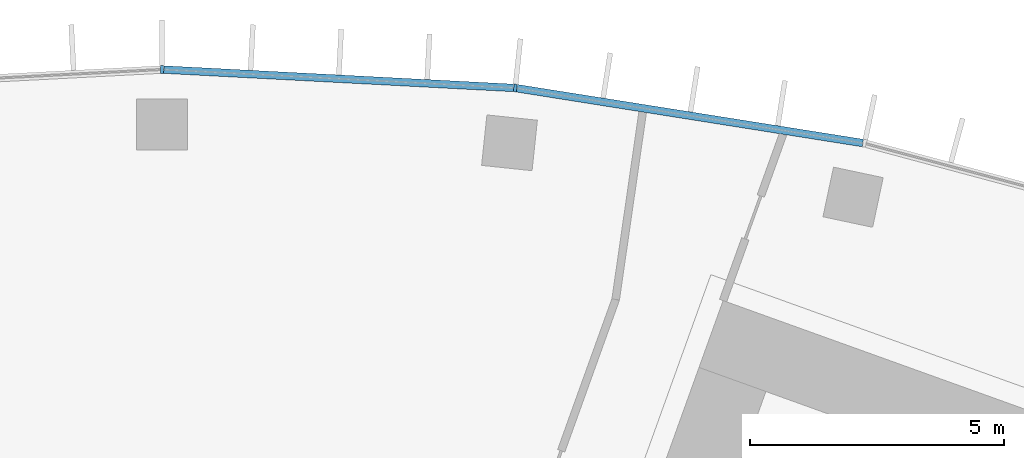
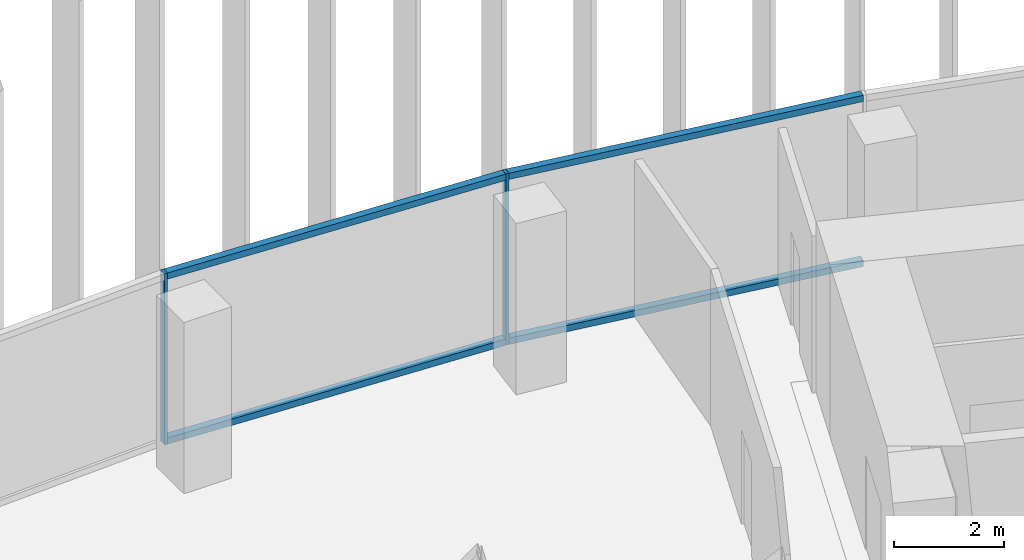
# One storey, part 8 of 23: 6 members, 1 element without a shape of its own.
"""IFC4 building model written with IfcOpenShell, lengths in metres."""

from ifc_helpers import new_model, si_unit, direction, frame, origin, origin_2d, place, context, subcontext, project, spatial, rectangle, extrude, material, layer, layer_set, material_profile, profile_set, type_object, element, aggregate, save


model = new_model("IFC4")

# Units and contexts
model_context = context("Model", 3, precision=1e-05, world=origin(), true_north=direction((0.0, 1.0)))
body_context = subcontext(model_context, "Body", "Model", "MODEL_VIEW")
ifc_project = project(units=[si_unit("LENGTHUNIT", "METRE"), si_unit("AREAUNIT", "SQUARE_METRE"), si_unit("VOLUMEUNIT", "CUBIC_METRE"), si_unit("PLANEANGLEUNIT", "RADIAN"), si_unit("MASSUNIT", "GRAM", prefix="KILO")], contexts=[model_context])

# Site, building, storey
site_placement = place(None, origin())
site = spatial("IfcSite", under=ifc_project, at=site_placement, CompositionType="ELEMENT")
building_placement = place(site_placement, origin())
building = spatial("IfcBuilding", under=site, at=building_placement, Name="Stone Belt Terrace Tower", CompositionType="ELEMENT")
storey_placement = place(building_placement, frame((0.0, 0.0, 166.800048828125)))
storey = spatial("IfcBuildingStorey", under=building, at=storey_placement, Name="L40", CompositionType="ELEMENT", Elevation=166.800048828125)

# Curtain wall, members
ifc_material = material(Name="Aluminium 6063-T6 anodised frame", Category="aluminium")
ifc_layer = layer(ifc_material, 0.14990234375)
ifc_layer_set = layer_set([ifc_layer], Name="CW-A unitised convex-face curtain wall")
curtain_wall_type = type_object("IfcCurtainWallType", Name="CW-A unitised convex-face curtain wall", PredefinedType="NOTDEFINED", material=ifc_layer_set)
curtain_wall_placement = place(storey_placement, origin())
curtain_wall = element("IfcCurtainWall", 1, at=curtain_wall_placement, inside=storey, type_object=curtain_wall_type, Name="CW-A convex face L40", PredefinedType="NOTDEFINED")
ifc_material_profile_1 = material_profile(ifc_material, rectangle(XDim=0.14990234375, YDim=0.06005859375, at=origin_2d()), Name="Aluminium 6063-T6 60x150")
ifc_profile_set_1 = profile_set([ifc_material_profile_1], Name="Aluminium 6063-T6 anodised frame")
member_type_1 = type_object("IfcMemberType", Name="CW-A mullion 60 x 150", PredefinedType="MULLION", material=ifc_profile_set_1)
member_1_placement = place(storey_placement, frame((6.958984375, 66.21044921875, 0.0), z_axis=(0.0, 0.0, 1.0), x_axis=(-0.104528463268, -0.994521895368, 0.0)))
member_1 = element("IfcMember", 2, at=member_1_placement, type_object=member_type_1, Name="CW-A mullion 8", PredefinedType="MULLION", context=body_context, shape_type="SweptSolid", body=[
    extrude(rectangle(XDim=0.14990234375, YDim=0.06005859375, at=origin_2d()), origin(), (0.0, 0.0, 1.0), 3.800048828125),
])
member_2_placement = place(storey_placement, frame((0.0, 66.5751953125, 0.0), z_axis=(0.0, 0.0, 1.0), x_axis=(0.0, -1.0, 0.0)))
member_2 = element("IfcMember", 3, at=member_2_placement, type_object=member_type_1, Name="CW-A mullion 9", PredefinedType="MULLION", context=body_context, shape_type="SweptSolid", body=[
    extrude(rectangle(XDim=0.14990234375, YDim=0.06005859375, at=origin_2d()), origin(), (0.0, 0.0, 1.0), 3.800048828125),
])
ifc_material_profile_2 = material_profile(ifc_material, rectangle(XDim=0.14990234375, YDim=0.139892578125, at=origin_2d()), Name="Aluminium 6063-T6 150x140")
ifc_profile_set_2 = profile_set([ifc_material_profile_2], Name="Aluminium 6063-T6 anodised frame")
member_type_2 = type_object("IfcMemberType", Name="CW-A transom 140 x 150", PredefinedType="USERDEFINED", material=ifc_profile_set_2)
member_3_placement = place(storey_placement, frame((13.808349609375, 65.12548828125, 0.070068359375), z_axis=(-0.987687120531, 0.156442168027, 0.0), x_axis=(-0.156442168027, -0.987687120531, 0.0)))
member_3 = element("IfcMember", 4, at=member_3_placement, type_object=member_type_2, Name="CW-A transom 7.1", ObjectType="TRANSOM", PredefinedType="USERDEFINED", context=body_context, shape_type="SweptSolid", body=[
    extrude(rectangle(XDim=0.14990234375, YDim=0.139892578125, at=origin_2d()), origin(), (0.0, 0.0, 1.0), 6.90087890625),
])
member_4_placement = place(storey_placement, frame((13.808349609375, 65.12548828125, 3.72998046875), z_axis=(-0.987687120531, 0.156442168027, 0.0), x_axis=(-0.156442168027, -0.987687120531, 0.0)))
member_4 = element("IfcMember", 5, at=member_4_placement, type_object=member_type_2, Name="CW-A transom 7.2", ObjectType="TRANSOM", PredefinedType="USERDEFINED", context=body_context, shape_type="SweptSolid", body=[
    extrude(rectangle(XDim=0.14990234375, YDim=0.139892578125, at=origin_2d()), origin(), (0.0, 0.0, 1.0), 6.90087890625),
])
member_5_placement = place(storey_placement, frame((6.925048828125, 66.212158203125, 0.070068359375), z_axis=(-0.998630019135, 0.052326712899, 0.0), x_axis=(-0.052326712899, -0.998630019135, 0.0)))
member_5 = element("IfcMember", 6, at=member_5_placement, type_object=member_type_2, Name="CW-A transom 8.1", ObjectType="TRANSOM", PredefinedType="USERDEFINED", context=body_context, shape_type="SweptSolid", body=[
    extrude(rectangle(XDim=0.14990234375, YDim=0.139892578125, at=origin_2d()), origin(), (0.0, 0.0, 1.0), 6.900634765625),
])
member_6_placement = place(storey_placement, frame((6.925048828125, 66.212158203125, 3.72998046875), z_axis=(-0.998630019135, 0.052326712899, 0.0), x_axis=(-0.052326712899, -0.998630019135, 0.0)))
member_6 = element("IfcMember", 7, at=member_6_placement, type_object=member_type_2, Name="CW-A transom 8.2", ObjectType="TRANSOM", PredefinedType="USERDEFINED", context=body_context, shape_type="SweptSolid", body=[
    extrude(rectangle(XDim=0.14990234375, YDim=0.139892578125, at=origin_2d()), origin(), (0.0, 0.0, 1.0), 6.900634765625),
])
aggregate(curtain_wall, [member_1, member_2, member_3, member_4, member_5, member_6])

save(model, "model.ifc")
